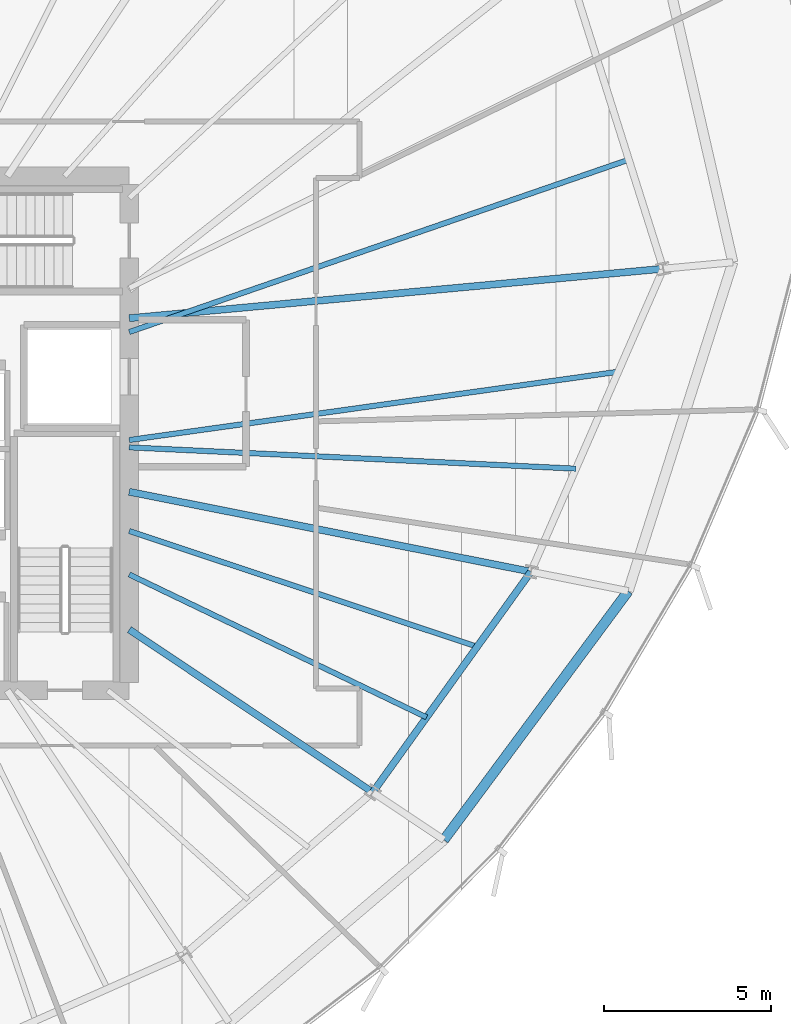
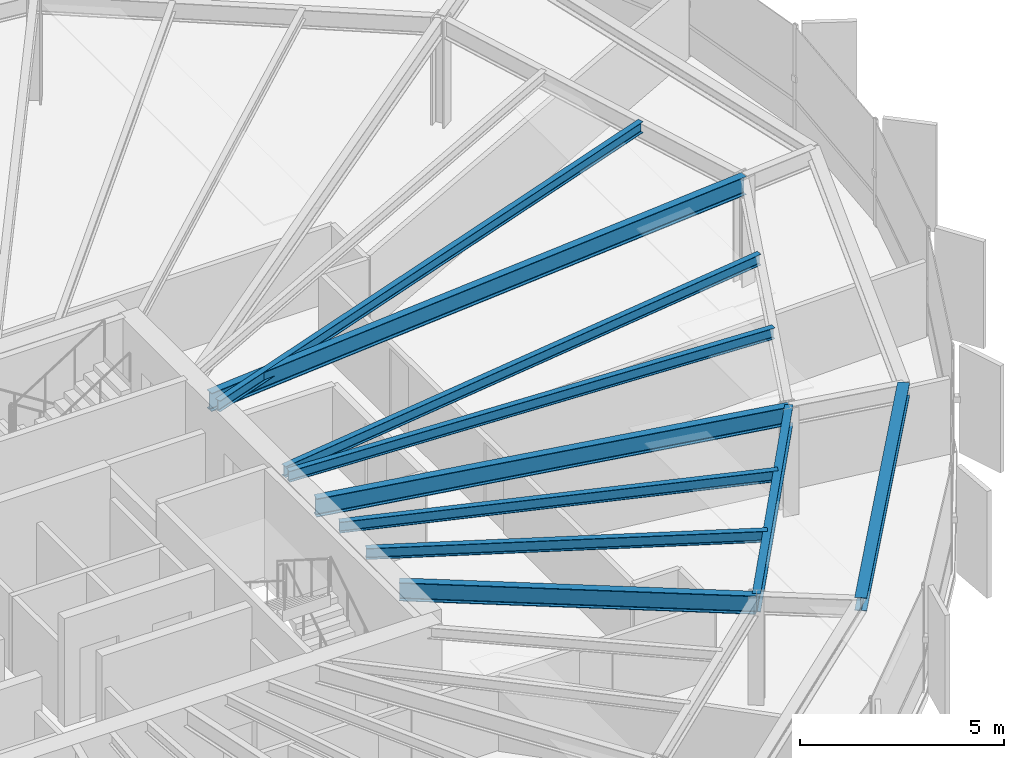
# One storey, part 16 of 35: 10 beams.
"""IFC4 building model written with IfcOpenShell, lengths in metres."""

import ifcopenshell
import ifcopenshell.guid

model = None  # the IFC model being written
_history = None  # IfcOwnerHistory: only IFC2X3 demands one
_inside = {}  # id of a spatial element -> (the spatial element, [elements in it])
_under = {}  # id of a project, library or spatial element -> (it, [spatial elements below it])
_declared = {}  # id of a project -> (the project, [libraries it declares])
_typed = {}  # id of a type object -> (the type object, [elements of that type])
_made_of = {}  # id of a material, layer set ... -> (it, [elements and type objects made of it])


def new_model(schema):
    """Start an empty IFC model of exactly this schema.

    Asked for "IFC4X3", IfcOpenShell would pick the latest addendum, in which some entities
    have other attributes; the version numbers below select the first issue.
    IFC2X3 requires an IfcOwnerHistory on every rooted entity: one is made here for all.
    """
    global model, _history
    if schema == "IFC4X3":
        model = ifcopenshell.file(schema_version=(4, 3, 0, 0))
    else:
        model = ifcopenshell.file(schema=schema)
    _inside.clear()
    _under.clear()
    _declared.clear()
    _typed.clear()
    _made_of.clear()
    _history = None
    if model.schema == "IFC2X3":
        org = make("IfcOrganization", Name="unknown")
        user = make(
            "IfcPersonAndOrganization",
            ThePerson=make("IfcPerson", FamilyName="unknown"),
            TheOrganization=org,
        )
        app = make(
            "IfcApplication",
            ApplicationDeveloper=org,
            Version="unknown",
            ApplicationFullName="unknown",
            ApplicationIdentifier="unknown",
        )
        _history = make(
            "IfcOwnerHistory",
            OwningUser=user,
            OwningApplication=app,
            ChangeAction="ADDED",
            CreationDate=0,
        )
    return model


def make(cls, **values):
    """One entity of the class cls with the attributes given. An attribute that is None is left unset."""
    return model.create_entity(
        cls, **{name: value for name, value in values.items() if value is not None}
    )


def rooted(cls, **values):
    """An entity with a GlobalId (a new one), such as an element, a storey or a relation."""
    return make(cls, GlobalId=ifcopenshell.guid.new(), OwnerHistory=_history, **values)


def si_unit(unit_type, name, prefix=None):
    """IfcSIUnit, for example si_unit("LENGTHUNIT", "METRE", prefix="MILLI")."""
    return make("IfcSIUnit", UnitType=unit_type, Prefix=prefix, Name=name)


def assignment(units):
    """IfcUnitAssignment: the units of a project."""
    return None if units is None else make("IfcUnitAssignment", Units=units)


def point(xyz):
    """IfcCartesianPoint."""
    return None if xyz is None else make("IfcCartesianPoint", Coordinates=xyz)


def direction(xyz):
    """IfcDirection."""
    return None if xyz is None else make("IfcDirection", DirectionRatios=xyz)


def frame(location, z_axis=None, x_axis=None):
    """IfcAxis2Placement3D, a coordinate frame: its origin and axes. An axis left out is left unset."""
    return make(
        "IfcAxis2Placement3D",
        Location=point(location),
        Axis=direction(z_axis),
        RefDirection=direction(x_axis),
    )


def frame_2d(location, x_axis=None):
    """IfcAxis2Placement2D, a coordinate frame in the plane: its origin and x axis."""
    return make(
        "IfcAxis2Placement2D", Location=point(location), RefDirection=direction(x_axis)
    )


def origin():
    """The frame at (0, 0, 0) with its axes left unset."""
    return frame((0.0, 0.0, 0.0))


def origin_2d():
    """The frame at (0, 0) in the plane with its x axis left unset."""
    return frame_2d((0.0, 0.0))


def place(relative_to, where):
    """IfcLocalPlacement: puts the frame where relative to a parent placement (None: the world)."""
    return make(
        "IfcLocalPlacement", PlacementRelTo=relative_to, RelativePlacement=where
    )


def context(
    kind, dimensions, precision=None, world=None, true_north=None, identifier=None
):
    """IfcGeometricRepresentationContext, for example the 3D "Model" context."""
    return make(
        "IfcGeometricRepresentationContext",
        ContextIdentifier=identifier,
        ContextType=kind,
        CoordinateSpaceDimension=dimensions,
        Precision=precision,
        WorldCoordinateSystem=world,
        TrueNorth=true_north,
    )


def subcontext(parent, identifier, kind, view, scale=None):
    """IfcGeometricRepresentationSubContext, for example "Body" below "Model"."""
    return make(
        "IfcGeometricRepresentationSubContext",
        ContextIdentifier=identifier,
        ContextType=kind,
        ParentContext=parent,
        TargetScale=scale,
        TargetView=view,
    )


def project(units=None, contexts=None):
    """IfcProject with its units and contexts."""
    return rooted(
        "IfcProject",
        Name="project",
        RepresentationContexts=contexts,
        UnitsInContext=assignment(units),
    )


def spatial(cls, under=None, at=None, **own):
    """A site, building, storey or space (cls), placed at a placement, below another one or the project."""
    s = rooted(cls, ObjectPlacement=at, **own)
    if under is not None:
        _under.setdefault(under.id(), (under, []))[1].append(s)
    return s


def profile(cls, at=None, kind="AREA", **sizes):
    """A parametric profile (cls). Its sizes go by their IFC names, for example OverallWidth=200.0."""
    return make(cls, ProfileType=kind, Position=at, **sizes)


def i_section(**sizes):
    """IfcIShapeProfileDef."""
    return profile("IfcIShapeProfileDef", **sizes)


def extrude(swept, where, along, depth):
    """IfcExtrudedAreaSolid: the profile swept, set in the frame where, extruded along a direction by depth."""
    return make(
        "IfcExtrudedAreaSolid",
        SweptArea=swept,
        Position=where,
        ExtrudedDirection=direction(along),
        Depth=depth,
    )


def shape(context_of_items, identifier, shape_type, items):
    """IfcShapeRepresentation: the items that make up one representation, for example the "Body"."""
    return make(
        "IfcShapeRepresentation",
        ContextOfItems=context_of_items,
        RepresentationIdentifier=identifier,
        RepresentationType=shape_type,
        Items=items,
    )


def source(mapping_origin, context_of_items, identifier, shape_type, items):
    """IfcRepresentationMap: a shape defined once, which mapped items show again and again."""
    return make(
        "IfcRepresentationMap",
        MappingOrigin=mapping_origin,
        MappedRepresentation=shape(context_of_items, identifier, shape_type, items),
    )


def transform(
    local_origin,
    x_axis=None,
    y_axis=None,
    z_axis=None,
    scale=None,
    scale2=None,
    scale3=None,
    uniform=True,
):
    """IfcCartesianTransformationOperator3D, or its non-uniform kind. x_axis, y_axis, z_axis: its Axis1, 2, 3."""
    if uniform:
        return make(
            "IfcCartesianTransformationOperator3D",
            Axis1=direction(x_axis),
            Axis2=direction(y_axis),
            LocalOrigin=point(local_origin),
            Scale=scale,
            Axis3=direction(z_axis),
        )
    return make(
        "IfcCartesianTransformationOperator3DnonUniform",
        Axis1=direction(x_axis),
        Axis2=direction(y_axis),
        LocalOrigin=point(local_origin),
        Scale=scale,
        Axis3=direction(z_axis),
        Scale2=scale2,
        Scale3=scale3,
    )


def mapped(mapping_source, mapping_target):
    """IfcMappedItem: shows the shape of a source again, moved by a transform."""
    return make(
        "IfcMappedItem", MappingSource=mapping_source, MappingTarget=mapping_target
    )


def material(Name=None, Category=None):
    """IfcMaterial."""
    return make("IfcMaterial", Name=Name, Category=Category)


def material_profile(
    of_material, cross_section, Name=None, Category=None, Priority=None
):
    """IfcMaterialProfile: a cross section and its material."""
    return make(
        "IfcMaterialProfile",
        Name=Name,
        Material=of_material,
        Profile=cross_section,
        Priority=Priority,
        Category=Category,
    )


def profile_set(profiles, Name=None, composite=None):
    """IfcMaterialProfileSet."""
    return make(
        "IfcMaterialProfileSet",
        Name=Name,
        MaterialProfiles=profiles,
        CompositeProfile=composite,
    )


def made_of(thing, what):
    """Note that an element or type object is made of a material, layer set ...; save() writes the relation."""
    if what is not None:
        _made_of.setdefault(what.id(), (what, []))[1].append(thing)
    return thing


def type_object(cls, material=None, **own):
    """A type object (cls), such as IfcWallType, which elements share."""
    return made_of(rooted(cls, **own), material)


def element(
    cls,
    number,
    at=None,
    inside=None,
    cuts=None,
    type_object=None,
    material=None,
    context=None,
    identifier="Body",
    shape_type=None,
    held_by="IfcProductDefinitionShape",
    body=None,
    shapes=None,
    **own,
):
    """One element of the class cls, such as IfcWall. Its Tag is "e" and its number.

    at: its placement. inside: the storey or other place that contains it. cuts: it is an
    opening in that element (IfcRelVoidsElement). A single representation is given by context,
    identifier, shape_type and body (its items); several are given by shapes. held_by: the class
    of the entity that holds the representations. save() writes the other relations.
    """
    e = rooted(cls, Tag="e%d" % number, ObjectPlacement=at, **own)
    if body is not None:
        shapes = [shape(context, identifier, shape_type, body)]
    if shapes is not None:
        e.Representation = make(held_by, Representations=shapes)
    if inside is not None:
        _inside.setdefault(inside.id(), (inside, []))[1].append(e)
    if cuts is not None:
        rooted(
            "IfcRelVoidsElement", RelatingBuildingElement=cuts, RelatedOpeningElement=e
        )
    if type_object is not None:
        _typed.setdefault(type_object.id(), (type_object, []))[1].append(e)
    return made_of(e, material)


def aggregate(whole, parts):
    """IfcRelAggregates: a whole, such as a stair, and the parts it consists of."""
    return rooted("IfcRelAggregates", RelatingObject=whole, RelatedObjects=parts)


def save(model, path):
    """Write the relations noted so far, then the file.

    IfcRelAggregates (storeys below a building ...), IfcRelContainedInSpatialStructure (elements
    in a storey), IfcRelDefinesByType, IfcRelAssociatesMaterial and IfcRelDeclares: one each for
    every whole, place, type object, material and project.
    """
    for whole, parts in _under.values():
        aggregate(whole, parts)
    for where, things in _inside.values():
        rooted(
            "IfcRelContainedInSpatialStructure",
            RelatedElements=things,
            RelatingStructure=where,
        )
    for kind, things in _typed.values():
        rooted("IfcRelDefinesByType", RelatedObjects=things, RelatingType=kind)
    for what, things in _made_of.values():
        rooted("IfcRelAssociatesMaterial", RelatedObjects=things, RelatingMaterial=what)
    for by, libraries in _declared.values():
        rooted("IfcRelDeclares", RelatingContext=by, RelatedDefinitions=libraries)
    model.write(path)


model = new_model("IFC4")

# Units and contexts
model_context = context("Model", 3, precision=1e-05, world=origin(), true_north=direction((0.0, 1.0)))
body_context = subcontext(model_context, "Body", "Model", "MODEL_VIEW")
ifc_project = project(units=[si_unit("LENGTHUNIT", "METRE"), si_unit("AREAUNIT", "SQUARE_METRE"), si_unit("VOLUMEUNIT", "CUBIC_METRE"), si_unit("PLANEANGLEUNIT", "RADIAN"), si_unit("MASSUNIT", "GRAM", prefix="KILO"), si_unit("THERMODYNAMICTEMPERATUREUNIT", "KELVIN")], contexts=[model_context])

# Site, building, storey
site_placement = place(None, origin())
site = spatial("IfcSite", under=ifc_project, at=site_placement, CompositionType="ELEMENT")
building_placement = place(site_placement, origin())
building = spatial("IfcBuilding", under=site, at=building_placement, Name="Kethvar Cultural Tower", CompositionType="ELEMENT")
storey_placement = place(building_placement, frame((0.0, 0.0, 167.85009765625)))
storey = spatial("IfcBuildingStorey", under=building, at=storey_placement, Name="L43", CompositionType="ELEMENT", Elevation=167.85009765625)

# Beams
ifc_material = material(Name="Steel S355J2", Category="steel")
ifc_material_profile_1 = material_profile(ifc_material, i_section(OverallWidth=0.2099609375, OverallDepth=0.550048828125, WebThickness=0.010986328125, FlangeThickness=0.01708984375, FilletRadius=0.02392578125, at=origin_2d()), Name="Steel S355J2 — IPE550")
ifc_profile_set_1 = profile_set([ifc_material_profile_1], Name="Steel S355J2 — IPE550")
beam_type_1 = type_object("IfcBeamType", Name="BM-IPE550", PredefinedType="BEAM", material=ifc_profile_set_1)
shared_shape_1 = source(origin(), body_context, "Body", "SweptSolid", [
    extrude(i_section(OverallWidth=0.2099609375, OverallDepth=0.550048828125, WebThickness=0.010986328125, FlangeThickness=0.01708984375, FilletRadius=0.02392578125, at=origin_2d()), origin(), (0.0, 0.0, 1.0), 16.071044921875),
])
beam_1_placement = place(storey_placement, frame((55.60009765625, 31.25, 2.962890625), z_axis=(0.995731009363, 0.092302529718, 0.0), x_axis=(-0.092302529718, 0.995731009363, 0.0)))
element("IfcBeam", 1, at=beam_1_placement, inside=storey, type_object=beam_type_1, Name="L43 Primary Radial Beam RB-01", PredefinedType="BEAM", context=body_context, shape_type="MappedRepresentation", body=[
    mapped(shared_shape_1, transform((0.0, 0.0, 0.0), scale=1.0)),
])
shared_shape_2 = source(origin(), body_context, "Body", "SweptSolid", [
    extrude(i_section(OverallWidth=0.2099609375, OverallDepth=0.550048828125, WebThickness=0.010986328125, FlangeThickness=0.01708984375, FilletRadius=0.02392578125, at=origin_2d()), origin(), (0.0, 0.0, 1.0), 8.77783203125),
])
beam_2_placement = place(storey_placement, frame((55.60009765625, 21.919921875, 2.962890625), z_axis=(0.831472186778, -0.555566380026, 0.0), x_axis=(0.555566380026, 0.831472186778, 0.0)))
element("IfcBeam", 2, at=beam_2_placement, inside=storey, type_object=beam_type_1, Name="L43 Primary Radial Beam RB-15", PredefinedType="BEAM", context=body_context, shape_type="MappedRepresentation", body=[
    mapped(shared_shape_2, transform((0.0, 0.0, 0.0), scale=1.0)),
])
shared_shape_3 = source(origin(), body_context, "Body", "SweptSolid", [
    extrude(i_section(OverallWidth=0.2099609375, OverallDepth=0.550048828125, WebThickness=0.010986328125, FlangeThickness=0.01708984375, FilletRadius=0.02392578125, at=origin_2d()), origin(), (0.0, 0.0, 1.0), 12.2744140625),
])
beam_3_placement = place(storey_placement, frame((55.60009765625, 26.049560546875, 2.962890625), z_axis=(0.980782878234, -0.195102398146, 0.0), x_axis=(0.195102398146, 0.980782878234, 0.0)))
element("IfcBeam", 3, at=beam_3_placement, inside=storey, type_object=beam_type_1, Name="L43 Primary Radial Beam RB-16", PredefinedType="BEAM", context=body_context, shape_type="MappedRepresentation", body=[
    mapped(shared_shape_3, transform((0.0, 0.0, 0.0), scale=1.0)),
])
ifc_material_profile_2 = material_profile(ifc_material, i_section(OverallWidth=0.159912109375, OverallDepth=0.330078125, WebThickness=0.007568359375, FlangeThickness=0.011474609375, FilletRadius=0.01806640625, at=origin_2d()), Name="Steel S355J2 — IPE330")
ifc_profile_set_2 = profile_set([ifc_material_profile_2], Name="Steel S355J2 — IPE330")
beam_type_2 = type_object("IfcBeamType", Name="BM-J330", PredefinedType="JOIST", material=ifc_profile_set_2)
shared_shape_4 = source(origin(), body_context, "Body", "SweptSolid", [
    extrude(i_section(OverallWidth=0.159912109375, OverallDepth=0.330078125, WebThickness=0.007568359375, FlangeThickness=0.011474609375, FilletRadius=0.01806640625, at=origin_2d()), origin(), (0.0, 0.0, 1.0), 15.836669921875),
])
beam_4_placement = place(storey_placement, frame((55.60009765625, 30.836181640625, 3.072998046875), z_axis=(0.945315135904, 0.326158387644, 0.0), x_axis=(-0.326158387644, 0.945315135904, 0.0)))
element("IfcBeam", 4, at=beam_4_placement, inside=storey, type_object=beam_type_2, Name="L43 Composite Floor Joist J-01A", PredefinedType="JOIST", context=body_context, shape_type="MappedRepresentation", body=[
    mapped(shared_shape_4, transform((0.0, 0.0, 0.0), scale=1.0)),
])
shared_shape_5 = source(origin(), body_context, "Body", "SweptSolid", [
    extrude(i_section(OverallWidth=0.2099609375, OverallDepth=0.550048828125, WebThickness=0.010986328125, FlangeThickness=0.01708984375, FilletRadius=0.02392578125, at=origin_2d()), origin(), (0.0, 0.0, 1.0), 8.13525390625),
])
beam_5_placement = place(storey_placement, frame((62.898681640625, 17.043212890625, 2.962890625), z_axis=(0.582656731995, 0.812718359988, 0.0), x_axis=(-0.812718359988, 0.582656731995, 0.0)))
element("IfcBeam", 5, at=beam_5_placement, inside=storey, type_object=beam_type_1, Name="L43 Column Ring Tie Beam CR-15", PredefinedType="BEAM", context=body_context, shape_type="MappedRepresentation", body=[
    mapped(shared_shape_5, transform((0.0, 0.0, 0.0), scale=1.0)),
])
shared_shape_6 = source(origin(), body_context, "Body", "SweptSolid", [
    extrude(i_section(OverallWidth=0.159912109375, OverallDepth=0.330078125, WebThickness=0.007568359375, FlangeThickness=0.011474609375, FilletRadius=0.01806640625, at=origin_2d()), origin(), (0.0, 0.0, 1.0), 9.885009765625),
])
beam_6_placement = place(storey_placement, frame((55.60009765625, 23.572021484375, 3.072998046875), z_axis=(0.901369611334, -0.43305060185, 0.0), x_axis=(0.43305060185, 0.901369611334, 0.0)))
element("IfcBeam", 6, at=beam_6_placement, inside=storey, type_object=beam_type_2, Name="L43 Composite Floor Joist J-15A", PredefinedType="JOIST", context=body_context, shape_type="MappedRepresentation", body=[
    mapped(shared_shape_6, transform((0.0, 0.0, 0.0), scale=1.0)),
])
shared_shape_7 = source(origin(), body_context, "Body", "SweptSolid", [
    extrude(i_section(OverallWidth=0.159912109375, OverallDepth=0.330078125, WebThickness=0.007568359375, FlangeThickness=0.011474609375, FilletRadius=0.01806640625, at=origin_2d()), origin(), (0.0, 0.0, 1.0), 10.98828125),
])
beam_7_placement = place(storey_placement, frame((55.60009765625, 24.8740234375, 3.072998046875), z_axis=(0.948918548228, -0.315521138481, 0.0), x_axis=(0.315521138481, 0.948918548228, 0.0)))
element("IfcBeam", 7, at=beam_7_placement, inside=storey, type_object=beam_type_2, Name="L43 Composite Floor Joist J-15B", PredefinedType="JOIST", context=body_context, shape_type="MappedRepresentation", body=[
    mapped(shared_shape_7, transform((0.0, 0.0, 0.0), scale=1.0)),
])
shared_shape_8 = source(origin(), body_context, "Body", "SweptSolid", [
    extrude(i_section(OverallWidth=0.159912109375, OverallDepth=0.330078125, WebThickness=0.007568359375, FlangeThickness=0.011474609375, FilletRadius=0.01806640625, at=origin_2d()), origin(), (0.0, 0.0, 1.0), 13.4013671875),
])
beam_8_placement = place(storey_placement, frame((55.60009765625, 27.380126953125, 3.072998046875), z_axis=(0.998864631653, -0.047638719894, 0.0), x_axis=(0.047638719894, 0.998864631653, 0.0)))
element("IfcBeam", 8, at=beam_8_placement, inside=storey, type_object=beam_type_2, Name="L43 Composite Floor Joist J-16A", PredefinedType="JOIST", context=body_context, shape_type="MappedRepresentation", body=[
    mapped(shared_shape_8, transform((0.0, 0.0, 0.0), scale=1.0)),
])
shared_shape_9 = source(origin(), body_context, "Body", "SweptSolid", [
    extrude(i_section(OverallWidth=0.159912109375, OverallDepth=0.330078125, WebThickness=0.007568359375, FlangeThickness=0.011474609375, FilletRadius=0.01806640625, at=origin_2d()), origin(), (0.0, 0.0, 1.0), 14.797119140625),
])
beam_9_placement = place(storey_placement, frame((55.60009765625, 27.60009765625, 3.072998046875), z_axis=(0.990388450305, 0.138313836986, 0.0), x_axis=(-0.138313836986, 0.990388450305, 0.0)))
element("IfcBeam", 9, at=beam_9_placement, inside=storey, type_object=beam_type_2, Name="L43 Composite Floor Joist J-16B", PredefinedType="JOIST", context=body_context, shape_type="MappedRepresentation", body=[
    mapped(shared_shape_9, transform((0.0, 0.0, 0.0), scale=1.0)),
])
ifc_material_profile_3 = material_profile(ifc_material, i_section(OverallWidth=0.300048828125, OverallDepth=0.39990234375, WebThickness=0.013427734375, FlangeThickness=0.02392578125, FilletRadius=0.027099609375, at=origin_2d()), Name="Steel S355J2 — HEB400")
ifc_profile_set_3 = profile_set([ifc_material_profile_3], Name="Steel S355J2 — HEB400")
beam_type_3 = type_object("IfcBeamType", Name="BM-SP400", PredefinedType="SPANDREL", material=ifc_profile_set_3)
shared_shape_10 = source(origin(), body_context, "Body", "SweptSolid", [
    extrude(i_section(OverallWidth=0.300048828125, OverallDepth=0.39990234375, WebThickness=0.013427734375, FlangeThickness=0.02392578125, FilletRadius=0.027099609375, at=origin_2d()), origin(), (0.0, 0.0, 1.0), 9.27978515625),
])
beam_10_placement = place(storey_placement, frame((65.03076171875, 15.618408203125, 3.037841796875), z_axis=(0.59526655896, 0.803528296816, 0.0), x_axis=(-0.803528296816, 0.59526655896, 0.0)))
element("IfcBeam", 10, at=beam_10_placement, inside=storey, type_object=beam_type_3, Name="L43 Perimeter Spandrel Beam SP-15", PredefinedType="SPANDREL", context=body_context, shape_type="MappedRepresentation", body=[
    mapped(shared_shape_10, transform((0.0, 0.0, 0.0), scale=1.0)),
])

save(model, "model.ifc")
